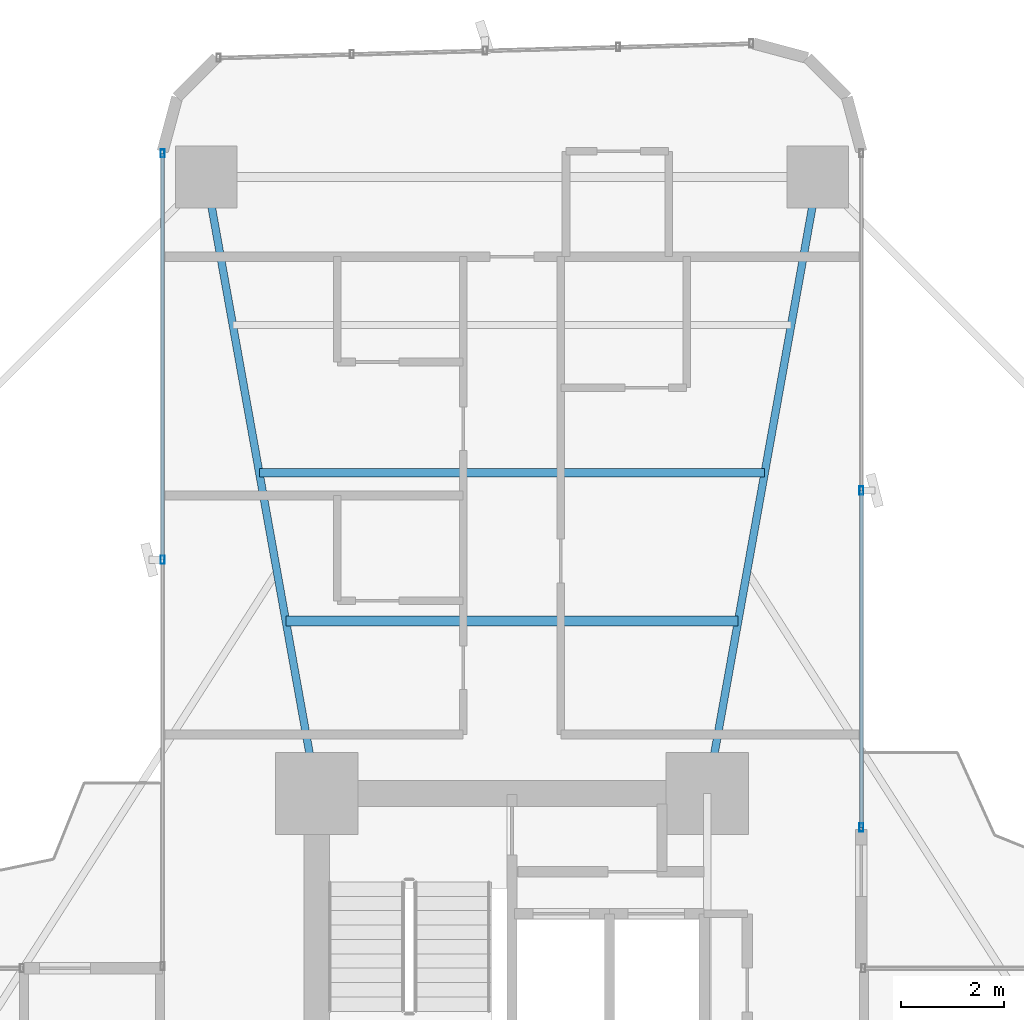
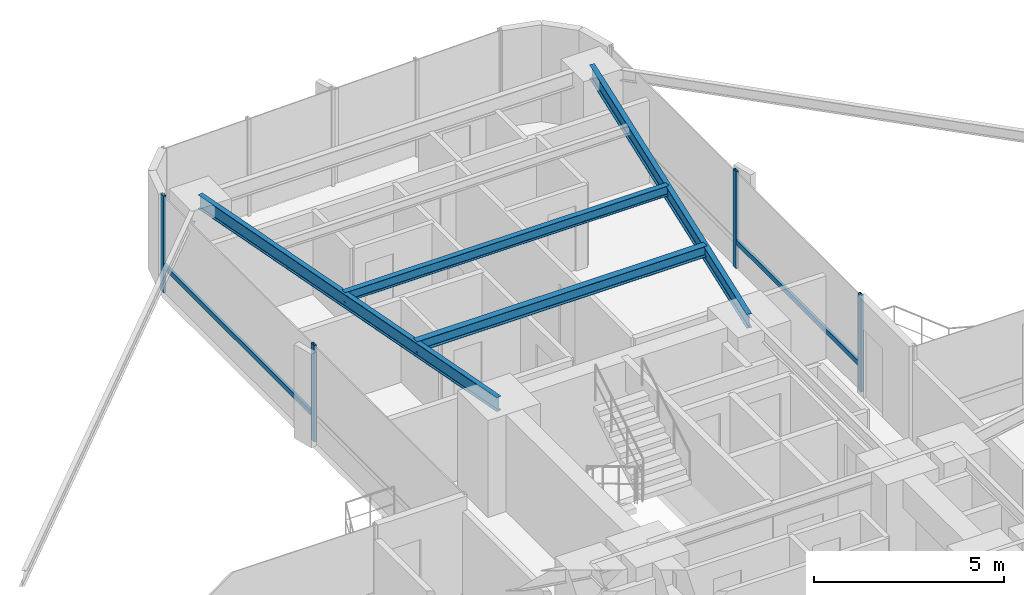
# One storey, part 18 of 25: 6 members, 4 beams, 2 elements without a shape of their own.
"""IFC4 building model written with IfcOpenShell, lengths in metres."""

from ifc_helpers import new_model, si_unit, direction, frame, origin, origin_2d, place, context, subcontext, project, spatial, hollow_rectangle, i_section, extrude, source, transform, mapped, material, material_profile, profile_set, type_object, element, aggregate, save


model = new_model("IFC4")

# Units and contexts
model_context = context("Model", 3, precision=1e-05, world=origin(), true_north=direction((0.0, 1.0)))
body_context = subcontext(model_context, "Body", "Model", "MODEL_VIEW")
ifc_project = project(units=[si_unit("LENGTHUNIT", "METRE"), si_unit("AREAUNIT", "SQUARE_METRE"), si_unit("VOLUMEUNIT", "CUBIC_METRE"), si_unit("PLANEANGLEUNIT", "RADIAN"), si_unit("MASSUNIT", "GRAM", prefix="KILO")], contexts=[model_context])

# Site, building, storey
site_placement = place(None, origin())
site = spatial("IfcSite", under=ifc_project, at=site_placement, CompositionType="ELEMENT")
building_placement = place(site_placement, origin())
building = spatial("IfcBuilding", under=site, at=building_placement, Name="Sahyath Konkavel Grand Hotel", CompositionType="ELEMENT")
storey_placement = place(building_placement, frame((0.0, 0.0, 54.39990234375)))
storey = spatial("IfcBuildingStorey", under=building, at=storey_placement, Name="L14", CompositionType="ELEMENT", Elevation=54.39990234375)

# Beams
ifc_material_1 = material(Name="Steel E350", Category="steel")
ifc_material_profile_1 = material_profile(ifc_material_1, i_section(OverallWidth=0.14990234375, OverallDepth=0.449951171875, WebThickness=0.009521484375, FlangeThickness=0.017333984375, FilletRadius=0.014892578125, at=origin_2d()), Name="ISMB 450")
ifc_profile_set_1 = profile_set([ifc_material_profile_1], Name="Steel E350")
beam_type_1 = type_object("IfcBeamType", Name="BM-ISMB450", PredefinedType="BEAM", material=ifc_profile_set_1)
shared_shape_1 = source(origin(), body_context, "Body", "SweptSolid", [
    extrude(i_section(OverallWidth=0.14990234375, OverallDepth=0.449951171875, WebThickness=0.009521484375, FlangeThickness=0.017333984375, FilletRadius=0.014892578125, at=origin_2d()), origin(), (0.0, 0.0, 1.0), 12.191162109375),
])
for number, where, z_axis, x_axis, name in (
    (1, (3.800048828125, 10.199951171875, 2.885009765625), (0.176350650305, 0.984327409014, 0.0), (-0.984327409014, 0.176350650305, 0.0), "L14 Cruciform Radial Girder NA"),
    (2, (-3.800048828125, 10.199951171875, 2.885009765625), (-0.176350650305, 0.984327409014, 0.0), (-0.984327409014, -0.176350650305, 0.0), "L14 Cruciform Radial Girder NB"),
):
    element("IfcBeam", number, at=place(storey_placement, frame(where, z_axis=z_axis, x_axis=x_axis)), inside=storey, type_object=beam_type_1, Name=name, PredefinedType="BEAM", context=body_context, shape_type="MappedRepresentation", body=[
        mapped(shared_shape_1, transform((0.0, 0.0, 0.0), scale=1.0)),
    ])
ifc_material_profile_2 = material_profile(ifc_material_1, i_section(OverallWidth=0.199951171875, OverallDepth=0.35009765625, WebThickness=0.008056640625, FlangeThickness=0.011474609375, FilletRadius=0.013916015625, at=origin_2d()), Name="ISWB 350")
ifc_profile_set_2 = profile_set([ifc_material_profile_2], Name="Steel E350")
beam_type_2 = type_object("IfcBeamType", Name="BM-ISWB350", PredefinedType="BEAM", material=ifc_profile_set_2)
shared_shape_2 = source(origin(), body_context, "Body", "SweptSolid", [
    extrude(i_section(OverallWidth=0.199951171875, OverallDepth=0.35009765625, WebThickness=0.008056640625, FlangeThickness=0.011474609375, FilletRadius=0.013916015625, at=origin_2d()), origin(), (0.0, 0.0, 1.0), 8.80419921875),
])
beam_1_placement = place(storey_placement, frame((4.402099609375, 13.56005859375, 2.93505859375), z_axis=(-1.0, 0.0, 0.0), x_axis=(0.0, -1.0, 0.0)))
element("IfcBeam", 3, at=beam_1_placement, inside=storey, type_object=beam_type_2, Name="L14 Secondary Floor Beam N-1", PredefinedType="BEAM", context=body_context, shape_type="MappedRepresentation", body=[
    mapped(shared_shape_2, transform((0.0, 0.0, 0.0), scale=1.0)),
])
ifc_material_profile_3 = material_profile(ifc_material_1, i_section(OverallWidth=0.1650390625, OverallDepth=0.324951171875, WebThickness=0.007080078125, FlangeThickness=0.009765625, FilletRadius=0.014892578125, at=origin_2d()), Name="ISLB 325")
ifc_profile_set_3 = profile_set([ifc_material_profile_3], Name="Steel E350")
beam_type_3 = type_object("IfcBeamType", Name="BM-ISLB325", PredefinedType="BEAM", material=ifc_profile_set_3)
shared_shape_3 = source(origin(), body_context, "Body", "SweptSolid", [
    extrude(i_section(OverallWidth=0.1650390625, OverallDepth=0.324951171875, WebThickness=0.007080078125, FlangeThickness=0.009765625, FilletRadius=0.014892578125, at=origin_2d()), origin(), (0.0, 0.0, 1.0), 9.8359375),
])
beam_2_placement = place(storey_placement, frame((4.91796875, 16.43994140625, 2.947509765625), z_axis=(-1.0, 0.0, 0.0), x_axis=(0.0, -1.0, 0.0)))
element("IfcBeam", 4, at=beam_2_placement, inside=storey, type_object=beam_type_3, Name="L14 Secondary Floor Beam N-2", PredefinedType="BEAM", context=body_context, shape_type="MappedRepresentation", body=[
    mapped(shared_shape_3, transform((0.0, 0.0, 0.0), scale=1.0)),
])

# Curtain wall, member
ifc_material_2 = material(Name="Anodised Bronze Aluminium & Low-E Glazing", Category="aluminium")
curtain_wall_type = type_object("IfcCurtainWallType", Name="CW-ZONE1", PredefinedType="NOTDEFINED", material=ifc_material_2)
curtain_wall_1_placement = place(storey_placement, origin())
curtain_wall_1 = element("IfcCurtainWall", 5, at=curtain_wall_1_placement, inside=storey, type_object=curtain_wall_type, Name="L14 Unitised Curtain Wall F15", PredefinedType="NOTDEFINED")
ifc_material_3 = material(Name="Anodised Bronze Aluminium", Category="aluminium")
ifc_material_profile_4 = material_profile(ifc_material_3, hollow_rectangle(XDim=0.080078125, YDim=0.159912109375, WallThickness=0.006103515625, at=origin_2d()), Name="RHS 160x80x6")
ifc_profile_set_4 = profile_set([ifc_material_profile_4], Name="Anodised Bronze Aluminium")
member_type_1 = type_object("IfcMemberType", Name="CW-TRN-160", PredefinedType="USERDEFINED", material=ifc_profile_set_4)
shared_shape_4 = source(origin(), body_context, "Body", "SweptSolid", [
    extrude(hollow_rectangle(XDim=0.080078125, YDim=0.159912109375, WallThickness=0.006103515625, at=origin_2d()), origin(), (0.0, 0.0, 1.0), 7.909912109375),
])
member_1_placement = place(storey_placement, frame((-6.800048828125, 22.659912109375, 0.85009765625), z_axis=(0.0, -1.0, 0.0), x_axis=(1.0, 0.0, 0.0)))
member_1 = element("IfcMember", 6, at=member_1_placement, type_object=member_type_1, Name="L14 Curtain Wall Transom F15-0-spandrel", ObjectType="TRANSOM", PredefinedType="USERDEFINED", context=body_context, shape_type="MappedRepresentation", body=[
    mapped(shared_shape_4, transform((0.0, 0.0, 0.0), scale=1.0)),
])

# Curtain wall, members
curtain_wall_2_placement = place(storey_placement, origin())
curtain_wall_2 = element("IfcCurtainWall", 7, at=curtain_wall_2_placement, inside=storey, type_object=curtain_wall_type, Name="L14 Unitised Curtain Wall F8", PredefinedType="NOTDEFINED")
ifc_material_profile_5 = material_profile(ifc_material_3, hollow_rectangle(XDim=0.080078125, YDim=0.159912109375, WallThickness=0.006103515625, at=origin_2d()), Name="RHS 160x80x6")
ifc_profile_set_5 = profile_set([ifc_material_profile_5], Name="Anodised Bronze Aluminium")
member_type_2 = type_object("IfcMemberType", Name="CW-MUL-160", PredefinedType="MULLION", material=ifc_profile_set_5)
shared_shape_5 = source(origin(), body_context, "Body", "SweptSolid", [
    extrude(hollow_rectangle(XDim=0.080078125, YDim=0.159912109375, WallThickness=0.006103515625, at=origin_2d()), origin(), (0.0, 0.0, 1.0), 3.110107421875),
])
member_2_placement = place(storey_placement, frame((6.800048828125, 9.5400390625, 0.0), z_axis=(0.0, 0.0, 1.0), x_axis=(1.0, 0.0, 0.0)))
member_2 = element("IfcMember", 8, at=member_2_placement, type_object=member_type_2, Name="L14 Curtain Wall Mullion F8-0", PredefinedType="MULLION", context=body_context, shape_type="MappedRepresentation", body=[
    mapped(shared_shape_5, transform((0.0, 0.0, 0.0), scale=1.0)),
])
member_3_placement = place(storey_placement, frame((6.800048828125, 16.10009765625, 0.0), z_axis=(0.0, 0.0, 1.0), x_axis=(1.0, 0.0, 0.0)))
member_3 = element("IfcMember", 9, at=member_3_placement, type_object=member_type_2, Name="L14 Curtain Wall Mullion F8-1", PredefinedType="MULLION", context=body_context, shape_type="MappedRepresentation", body=[
    mapped(shared_shape_5, transform((0.0, 0.0, 0.0), scale=1.0)),
])

# Member
member_4_placement = place(storey_placement, frame((-6.800048828125, 22.659912109375, 0.0), z_axis=(0.0, 0.0, 1.0), x_axis=(1.0, 0.0, 0.0)))
member_4 = element("IfcMember", 10, at=member_4_placement, type_object=member_type_2, Name="L14 Curtain Wall Mullion F15-0", PredefinedType="MULLION", context=body_context, shape_type="MappedRepresentation", body=[
    mapped(shared_shape_5, transform((0.0, 0.0, 0.0), scale=1.0)),
])

member_5_placement = place(storey_placement, frame((-6.800048828125, 14.75, 0.0), z_axis=(0.0, 0.0, 1.0), x_axis=(1.0, 0.0, 0.0)))
member_5 = element("IfcMember", 11, at=member_5_placement, type_object=member_type_2, Name="L14 Curtain Wall Mullion F15-1", PredefinedType="MULLION", context=body_context, shape_type="MappedRepresentation", body=[
    mapped(shared_shape_5, transform((0.0, 0.0, 0.0), scale=1.0)),
])

aggregate(curtain_wall_1, [member_4, member_5, member_1])

shared_shape_6 = source(origin(), body_context, "Body", "SweptSolid", [
    extrude(hollow_rectangle(XDim=0.080078125, YDim=0.159912109375, WallThickness=0.006103515625, at=origin_2d()), origin(), (0.0, 0.0, 1.0), 6.56005859375),
])
member_6_placement = place(storey_placement, frame((6.800048828125, 9.5400390625, 0.85009765625), z_axis=(0.0, 1.0, 0.0), x_axis=(-1.0, 0.0, 0.0)))
member_6 = element("IfcMember", 12, at=member_6_placement, type_object=member_type_1, Name="L14 Curtain Wall Transom F8-0-spandrel", ObjectType="TRANSOM", PredefinedType="USERDEFINED", context=body_context, shape_type="MappedRepresentation", body=[
    mapped(shared_shape_6, transform((0.0, 0.0, 0.0), scale=1.0)),
])

aggregate(curtain_wall_2, [member_2, member_3, member_6])

save(model, "model.ifc")
